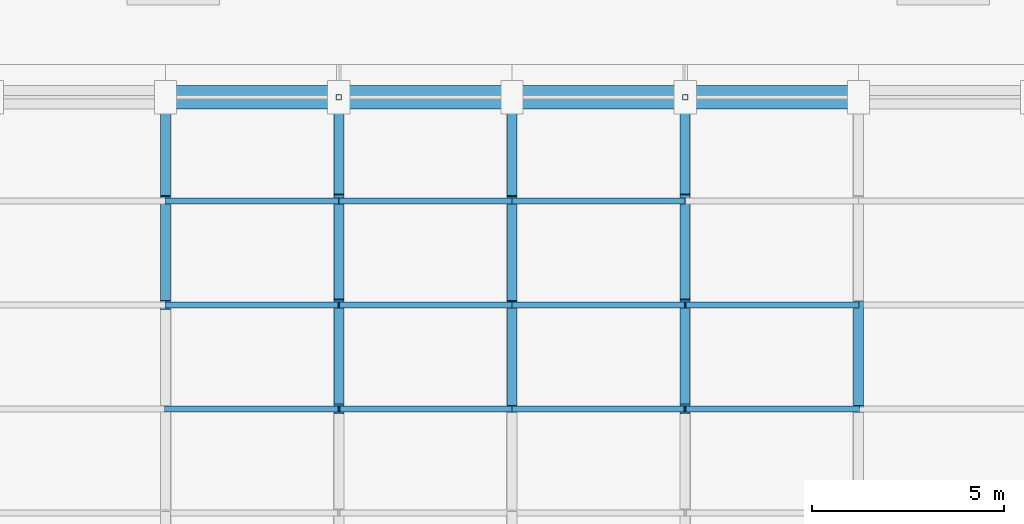
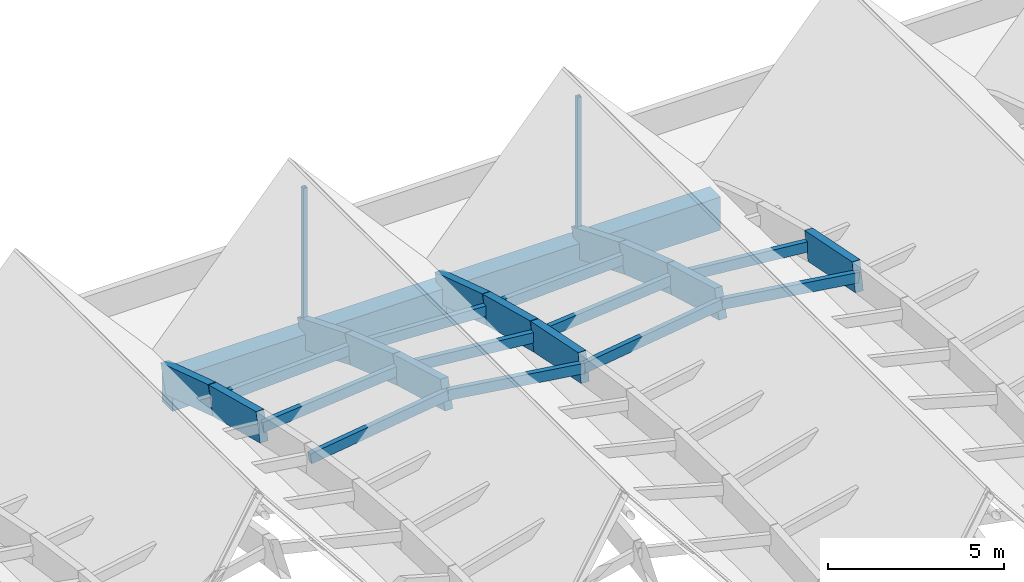
# One storey, part 23 of 39: 25 members, 2 beams.
"""IFC4 building model written with IfcOpenShell, lengths in metres."""

from ifc_helpers import new_model, si_unit, direction, frame, origin, origin_2d, place, context, subcontext, project, spatial, rectangle, hollow_rectangle, extrude, material, material_profile, profile_set, type_object, element, save


model = new_model("IFC4")

# Units and contexts
model_context = context("Model", 3, precision=1e-05, world=origin(), true_north=direction((0.0, 1.0)))
body_context = subcontext(model_context, "Body", "Model", "MODEL_VIEW")
ifc_project = project(units=[si_unit("LENGTHUNIT", "METRE"), si_unit("AREAUNIT", "SQUARE_METRE"), si_unit("VOLUMEUNIT", "CUBIC_METRE"), si_unit("PLANEANGLEUNIT", "RADIAN"), si_unit("MASSUNIT", "GRAM", prefix="KILO")], contexts=[model_context])

# Site, building, storey
site_placement = place(None, origin())
site = spatial("IfcSite", under=ifc_project, at=site_placement, CompositionType="ELEMENT")
building_placement = place(site_placement, origin())
building = spatial("IfcBuilding", under=site, at=building_placement, Name="Tizgana Railside Sports Hall", CompositionType="ELEMENT")
storey_placement = place(building_placement, frame((0.0, 0.0, 23.699951171875)))
storey = spatial("IfcBuildingStorey", under=building, at=storey_placement, Name="RF", CompositionType="ELEMENT", Elevation=23.699951171875)

# Beams
ifc_material_1 = material(Name="Concrete C40/50", Category="concrete")
ifc_material_profile_1 = material_profile(ifc_material_1, rectangle(XDim=0.60009765625, YDim=1.14990234375, at=origin_2d()), Name="RCB 600x1150")
ifc_profile_set_1 = profile_set([ifc_material_profile_1], Name="Concrete C40/50")
beam_type = type_object("IfcBeamType", Name="Concrete Beam RCB 600x1150", PredefinedType="BEAM", material=ifc_profile_set_1)
for number, where, z_axis, x_axis, name in (
    (1, (97.800048828125, 73.199951171875, -3.27490234375), (1.0, 0.0, 0.0), (0.0, 1.0, 0.0), "RF BEM-1231"),
    (2, (106.800048828125, 73.199951171875, -3.27490234375), (1.0, 0.0, 0.0), (0.0, 1.0, 0.0), "RF BEM-1232"),
):
    element("IfcBeam", number, at=place(storey_placement, frame(where, z_axis=z_axis, x_axis=x_axis)), inside=storey, type_object=beam_type, Name=name, PredefinedType="BEAM", context=body_context, shape_type="SweptSolid", body=[
        extrude(rectangle(XDim=0.60009765625, YDim=1.14990234375, at=origin_2d()), origin(), (0.0, 0.0, 1.0), 9.0),
    ])

# Members
ifc_material_2 = material(Name="Glulam GL32h", Category="wood")
ifc_material_profile_2 = material_profile(ifc_material_2, rectangle(XDim=0.260009765625, YDim=0.97998046875, at=origin_2d()), Name="GL 260x980")
ifc_profile_set_2 = profile_set([ifc_material_profile_2], Name="Glulam GL32h")
member_type_1 = type_object("IfcMemberType", Name="Glulam Arch Segment GL 260x980", PredefinedType="USERDEFINED", material=ifc_profile_set_2)
member_1_placement = place(storey_placement, frame((97.800048828125, 67.800048828125, -1.264404296875), z_axis=(0.0, 0.96740233444, -0.253244394448), x_axis=(-1.0, 0.0, 0.0)))
element("IfcMember", 3, at=member_1_placement, inside=storey, type_object=member_type_1, Name="RF V2 Arch Chord MEM-0468", ObjectType="ARCH_SEGMENT", PredefinedType="USERDEFINED", context=body_context, shape_type="SweptSolid", body=[
    extrude(rectangle(XDim=0.260009765625, YDim=0.97998046875, at=origin_2d()), origin(), (0.0, 0.0, 1.0), 2.791015625),
])
member_2_placement = place(storey_placement, frame((97.800048828125, 70.5, -1.97119140625), z_axis=(0.0, 0.950912040346, -0.30946129245), x_axis=(-1.0, 0.0, 0.0)))
element("IfcMember", 4, at=member_2_placement, inside=storey, type_object=member_type_1, Name="RF V2 Arch Chord MEM-0469", ObjectType="ARCH_SEGMENT", PredefinedType="USERDEFINED", context=body_context, shape_type="SweptSolid", body=[
    extrude(rectangle(XDim=0.260009765625, YDim=0.97998046875, at=origin_2d()), origin(), (0.0, 0.0, 1.0), 2.83935546875),
])
member_3_placement = place(storey_placement, frame((102.300048828125, 65.10009765625, -0.08447265625), z_axis=(0.0, 0.963066151939, -0.269264901148), x_axis=(-1.0, 0.0, 0.0)))
element("IfcMember", 5, at=member_3_placement, inside=storey, type_object=member_type_1, Name="RF V2 Arch Chord MEM-0480", ObjectType="ARCH_SEGMENT", PredefinedType="USERDEFINED", context=body_context, shape_type="SweptSolid", body=[
    extrude(rectangle(XDim=0.260009765625, YDim=0.97998046875, at=origin_2d()), origin(), (0.0, 0.0, 1.0), 2.803466796875),
])
member_4_placement = place(storey_placement, frame((102.300048828125, 67.800048828125, -0.83935546875), z_axis=(0.0, 0.946643794117, -0.322281751049), x_axis=(-1.0, 0.0, 0.0)))
element("IfcMember", 6, at=member_4_placement, inside=storey, type_object=member_type_1, Name="RF V2 Arch Chord MEM-0481", ObjectType="ARCH_SEGMENT", PredefinedType="USERDEFINED", context=body_context, shape_type="SweptSolid", body=[
    extrude(rectangle(XDim=0.260009765625, YDim=0.97998046875, at=origin_2d()), origin(), (0.0, 0.0, 1.0), 2.85205078125),
])
member_5_placement = place(storey_placement, frame((102.300048828125, 70.5, -1.758544921875), z_axis=(0.0, 0.927129277991, -0.37474164686), x_axis=(-1.0, 0.0, 0.0)))
element("IfcMember", 7, at=member_5_placement, inside=storey, type_object=member_type_1, Name="RF V2 Arch Chord MEM-0482", ObjectType="ARCH_SEGMENT", PredefinedType="USERDEFINED", context=body_context, shape_type="SweptSolid", body=[
    extrude(rectangle(XDim=0.260009765625, YDim=0.97998046875, at=origin_2d()), origin(), (0.0, 0.0, 1.0), 2.912109375),
])
member_6_placement = place(storey_placement, frame((106.800048828125, 65.10009765625, -0.721923828125), z_axis=(0.0, 0.980406395207, -0.196985533064), x_axis=(-1.0, 0.0, 0.0)))
element("IfcMember", 8, at=member_6_placement, inside=storey, type_object=member_type_1, Name="RF V2 Arch Chord MEM-0493", ObjectType="ARCH_SEGMENT", PredefinedType="USERDEFINED", context=body_context, shape_type="SweptSolid", body=[
    extrude(rectangle(XDim=0.260009765625, YDim=0.97998046875, at=origin_2d()), origin(), (0.0, 0.0, 1.0), 2.75390625),
])
member_7_placement = place(storey_placement, frame((106.800048828125, 67.800048828125, -1.264404296875), z_axis=(0.0, 0.96740233444, -0.253244394448), x_axis=(-1.0, 0.0, 0.0)))
element("IfcMember", 9, at=member_7_placement, inside=storey, type_object=member_type_1, Name="RF V2 Arch Chord MEM-0494", ObjectType="ARCH_SEGMENT", PredefinedType="USERDEFINED", context=body_context, shape_type="SweptSolid", body=[
    extrude(rectangle(XDim=0.260009765625, YDim=0.97998046875, at=origin_2d()), origin(), (0.0, 0.0, 1.0), 2.791015625),
])
member_8_placement = place(storey_placement, frame((106.800048828125, 70.5, -1.97119140625), z_axis=(0.0, 0.950912040346, -0.30946129245), x_axis=(-1.0, 0.0, 0.0)))
element("IfcMember", 10, at=member_8_placement, inside=storey, type_object=member_type_1, Name="RF V2 Arch Chord MEM-0495", ObjectType="ARCH_SEGMENT", PredefinedType="USERDEFINED", context=body_context, shape_type="SweptSolid", body=[
    extrude(rectangle(XDim=0.260009765625, YDim=0.97998046875, at=origin_2d()), origin(), (0.0, 0.0, 1.0), 2.83935546875),
])
member_9_placement = place(storey_placement, frame((111.300048828125, 65.10009765625, -0.08447265625), z_axis=(0.0, 0.963066151939, -0.269264901148), x_axis=(-1.0, 0.0, 0.0)))
element("IfcMember", 11, at=member_9_placement, inside=storey, type_object=member_type_1, Name="RF V2 Arch Chord MEM-0506", ObjectType="ARCH_SEGMENT", PredefinedType="USERDEFINED", context=body_context, shape_type="SweptSolid", body=[
    extrude(rectangle(XDim=0.260009765625, YDim=0.97998046875, at=origin_2d()), origin(), (0.0, 0.0, 1.0), 2.803466796875),
])
member_10_placement = place(storey_placement, frame((111.300048828125, 67.800048828125, -0.83935546875), z_axis=(0.0, 0.946643794117, -0.322281751049), x_axis=(-1.0, 0.0, 0.0)))
element("IfcMember", 12, at=member_10_placement, inside=storey, type_object=member_type_1, Name="RF V2 Arch Chord MEM-0507", ObjectType="ARCH_SEGMENT", PredefinedType="USERDEFINED", context=body_context, shape_type="SweptSolid", body=[
    extrude(rectangle(XDim=0.260009765625, YDim=0.97998046875, at=origin_2d()), origin(), (0.0, 0.0, 1.0), 2.85205078125),
])
member_11_placement = place(storey_placement, frame((111.300048828125, 70.5, -1.758544921875), z_axis=(0.0, 0.927129277991, -0.37474164686), x_axis=(-1.0, 0.0, 0.0)))
element("IfcMember", 13, at=member_11_placement, inside=storey, type_object=member_type_1, Name="RF V2 Arch Chord MEM-0508", ObjectType="ARCH_SEGMENT", PredefinedType="USERDEFINED", context=body_context, shape_type="SweptSolid", body=[
    extrude(rectangle(XDim=0.260009765625, YDim=0.97998046875, at=origin_2d()), origin(), (0.0, 0.0, 1.0), 2.912109375),
])
member_12_placement = place(storey_placement, frame((115.800048828125, 65.10009765625, -0.721923828125), z_axis=(0.0, 0.980406395207, -0.196985533064), x_axis=(-1.0, 0.0, 0.0)))
element("IfcMember", 14, at=member_12_placement, inside=storey, type_object=member_type_1, Name="RF V2 Arch Chord MEM-0519", ObjectType="ARCH_SEGMENT", PredefinedType="USERDEFINED", context=body_context, shape_type="SweptSolid", body=[
    extrude(rectangle(XDim=0.260009765625, YDim=0.97998046875, at=origin_2d()), origin(), (0.0, 0.0, 1.0), 2.75390625),
])
ifc_material_3 = material(Name="Glulam GL28h", Category="wood")
ifc_material_profile_3 = material_profile(ifc_material_3, rectangle(XDim=0.159912109375, YDim=0.360107421875, at=origin_2d()), Name="GL 160x360")
ifc_profile_set_3 = profile_set([ifc_material_profile_3], Name="Glulam GL28h")
member_type_2 = type_object("IfcMemberType", Name="Glulam Roof Purlin GL 160x360", PredefinedType="PURLIN", material=ifc_profile_set_3)
for number, where, z_axis, x_axis, name in (
    (15, (97.800048828125, 65.10009765625, -0.721923828125), (0.990115330681, 0.0, 0.140255595074), (0.0, 1.0, 0.0), "RF V2 Purlin MEM-0649"),
    (16, (102.300048828125, 65.10009765625, -0.08447265625), (0.990115330681, 0.0, -0.140255595074), (0.0, 1.0, 0.0), "RF V2 Purlin MEM-0650"),
):
    element("IfcMember", number, at=place(storey_placement, frame(where, z_axis=z_axis, x_axis=x_axis)), inside=storey, type_object=member_type_2, Name=name, PredefinedType="PURLIN", context=body_context, shape_type="SweptSolid", body=[
        extrude(rectangle(XDim=0.159912109375, YDim=0.360107421875, at=origin_2d()), origin(), (0.0, 0.0, 1.0), 4.544921875),
    ])
for number, where, z_axis, x_axis, name in (
    (17, (97.800048828125, 67.800048828125, -1.264404296875), (0.995568727865, 0.0, 0.094036738022), (0.0, 1.0, 0.0), "RF V2 Purlin MEM-0651"),
    (18, (102.300048828125, 67.800048828125, -0.83935546875), (0.995568727865, 0.0, -0.094036738022), (0.0, 1.0, 0.0), "RF V2 Purlin MEM-0652"),
):
    element("IfcMember", number, at=place(storey_placement, frame(where, z_axis=z_axis, x_axis=x_axis)), inside=storey, type_object=member_type_2, Name=name, PredefinedType="PURLIN", context=body_context, shape_type="SweptSolid", body=[
        extrude(rectangle(XDim=0.159912109375, YDim=0.360107421875, at=origin_2d()), origin(), (0.0, 0.0, 1.0), 4.52001953125),
    ])
for number, where, z_axis, x_axis, name in (
    (19, (97.800048828125, 70.5, -1.97119140625), (0.998885359561, 0.0, 0.047202102223), (0.0, 1.0, 0.0), "RF V2 Purlin MEM-0653"),
    (20, (102.300048828125, 70.5, -1.758544921875), (0.998885359561, 0.0, -0.047202102223), (0.0, 1.0, 0.0), "RF V2 Purlin MEM-0654"),
):
    element("IfcMember", number, at=place(storey_placement, frame(where, z_axis=z_axis, x_axis=x_axis)), inside=storey, type_object=member_type_2, Name=name, PredefinedType="PURLIN", context=body_context, shape_type="SweptSolid", body=[
        extrude(rectangle(XDim=0.159912109375, YDim=0.360107421875, at=origin_2d()), origin(), (0.0, 0.0, 1.0), 4.505126953125),
    ])
for number, where, z_axis, x_axis, name in (
    (21, (106.800048828125, 65.10009765625, -0.721923828125), (0.990115330681, 0.0, 0.140255595074), (0.0, 1.0, 0.0), "RF V2 Purlin MEM-0674"),
    (22, (111.300048828125, 65.10009765625, -0.08447265625), (0.990115330681, 0.0, -0.140255595074), (0.0, 1.0, 0.0), "RF V2 Purlin MEM-0675"),
):
    element("IfcMember", number, at=place(storey_placement, frame(where, z_axis=z_axis, x_axis=x_axis)), inside=storey, type_object=member_type_2, Name=name, PredefinedType="PURLIN", context=body_context, shape_type="SweptSolid", body=[
        extrude(rectangle(XDim=0.159912109375, YDim=0.360107421875, at=origin_2d()), origin(), (0.0, 0.0, 1.0), 4.544921875),
    ])
for number, where, z_axis, x_axis, name in (
    (23, (106.800048828125, 67.800048828125, -1.264404296875), (0.995568727865, 0.0, 0.094036738022), (0.0, 1.0, 0.0), "RF V2 Purlin MEM-0676"),
    (24, (111.300048828125, 67.800048828125, -0.83935546875), (0.995568727865, 0.0, -0.094036738022), (0.0, 1.0, 0.0), "RF V2 Purlin MEM-0677"),
):
    element("IfcMember", number, at=place(storey_placement, frame(where, z_axis=z_axis, x_axis=x_axis)), inside=storey, type_object=member_type_2, Name=name, PredefinedType="PURLIN", context=body_context, shape_type="SweptSolid", body=[
        extrude(rectangle(XDim=0.159912109375, YDim=0.360107421875, at=origin_2d()), origin(), (0.0, 0.0, 1.0), 4.52001953125),
    ])
member_13_placement = place(storey_placement, frame((106.800048828125, 70.5, -1.97119140625), z_axis=(0.998885359561, 0.0, 0.047202102223), x_axis=(0.0, 1.0, 0.0)))
element("IfcMember", 25, at=member_13_placement, inside=storey, type_object=member_type_2, Name="RF V2 Purlin MEM-0678", PredefinedType="PURLIN", context=body_context, shape_type="SweptSolid", body=[
    extrude(rectangle(XDim=0.159912109375, YDim=0.360107421875, at=origin_2d()), origin(), (0.0, 0.0, 1.0), 4.505126953125),
])
ifc_material_4 = material(Name="Steel S355J2", Category="steel")
ifc_material_profile_4 = material_profile(ifc_material_4, hollow_rectangle(XDim=0.139892578125, YDim=0.139892578125, WallThickness=0.008056640625, at=origin_2d()), Name="SHS 140x140x8")
ifc_profile_set_4 = profile_set([ifc_material_profile_4], Name="Steel S355J2")
member_type_3 = type_object("IfcMemberType", Name="Steel Brace SHS 140x140x8", PredefinedType="BRACE", material=ifc_profile_set_4)
for number, where, z_axis, x_axis, name in (
    (26, (102.300048828125, 73.199951171875, -2.89990234375), (0.0, 0.0, 1.0), (1.0, 0.0, 0.0), "RF King Post"),
    (27, (111.300048828125, 73.199951171875, -2.89990234375), (0.0, 0.0, 1.0), (1.0, 0.0, 0.0), "RF King Post"),
):
    element("IfcMember", number, at=place(storey_placement, frame(where, z_axis=z_axis, x_axis=x_axis)), inside=storey, type_object=member_type_3, Name=name, PredefinedType="BRACE", context=body_context, shape_type="SweptSolid", body=[
        extrude(hollow_rectangle(XDim=0.139892578125, YDim=0.139892578125, WallThickness=0.008056640625, at=origin_2d()), origin(), (0.0, 0.0, 1.0), 5.099853515625),
    ])

save(model, "model.ifc")
